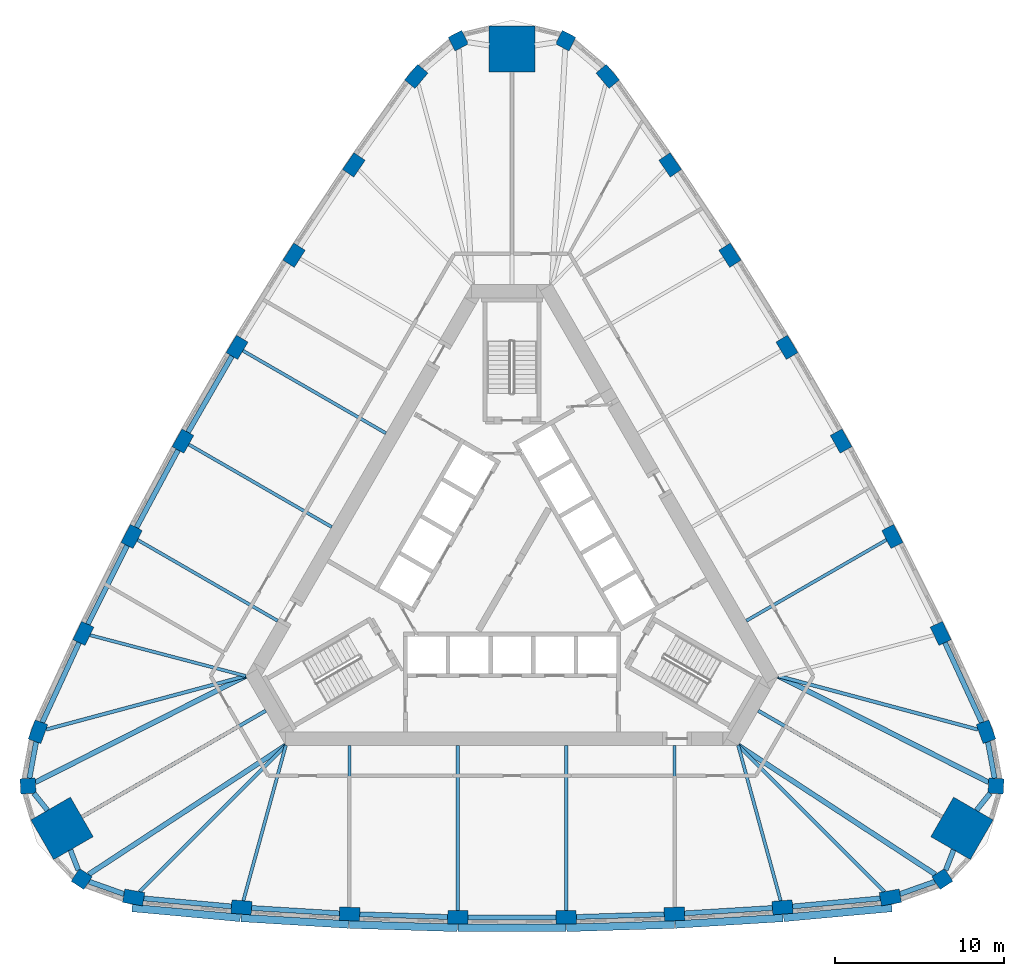
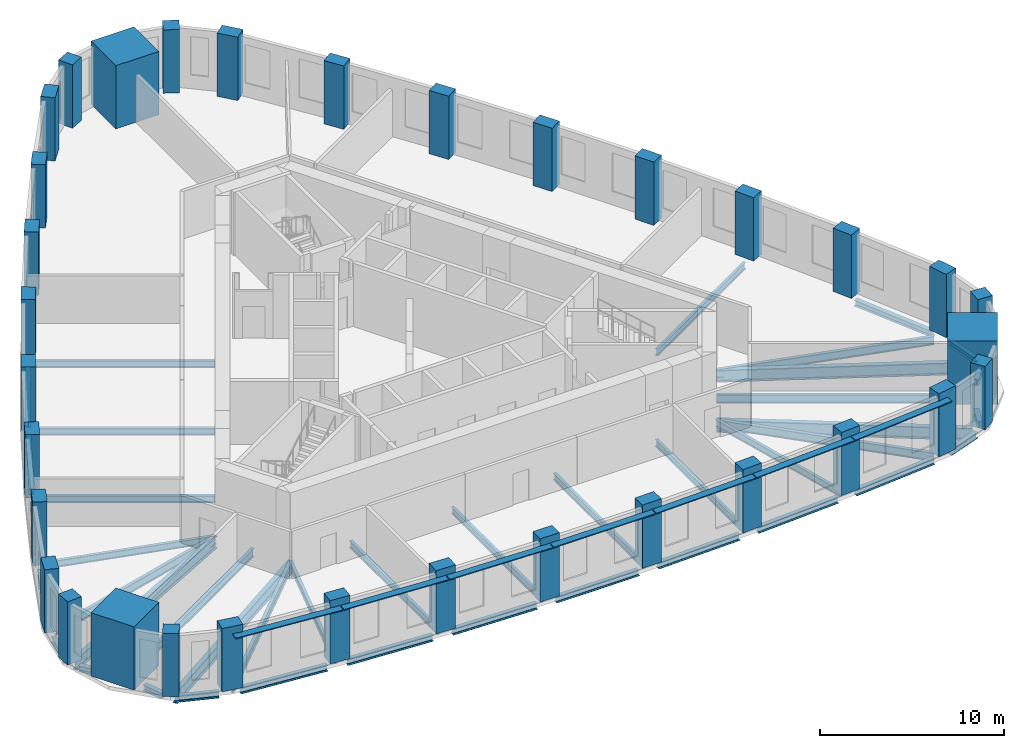
# One storey, part 1 of 9: 41 beams, 33 columns, 7 members.
"""IFC4 building model written with IfcOpenShell, lengths in metres."""

from ifc_helpers import new_model, si_unit, direction, frame, origin, origin_2d, place, context, subcontext, project, spatial, rectangle, i_section, extrude, material, material_profile, profile_set, type_object, element, save


model = new_model("IFC4")

# Units and contexts
model_context = context("Model", 3, precision=1e-05, world=origin(), true_north=direction((0.0, 1.0)))
body_context = subcontext(model_context, "Body", "Model", "MODEL_VIEW")
ifc_project = project(units=[si_unit("LENGTHUNIT", "METRE"), si_unit("AREAUNIT", "SQUARE_METRE"), si_unit("VOLUMEUNIT", "CUBIC_METRE"), si_unit("PLANEANGLEUNIT", "RADIAN"), si_unit("MASSUNIT", "GRAM", prefix="KILO")], contexts=[model_context])

# Site, building, storey
site_placement = place(None, origin())
site = spatial("IfcSite", under=ifc_project, at=site_placement, CompositionType="ELEMENT")
building_placement = place(site_placement, origin())
building = spatial("IfcBuilding", under=site, at=building_placement, Name="Mestral Congress Tower", CompositionType="ELEMENT")
storey_placement = place(building_placement, frame((0.0, 0.0, 179.39990234375)))
storey = spatial("IfcBuildingStorey", under=building, at=storey_placement, Name="L42", CompositionType="ELEMENT", Elevation=179.39990234375)

# Columns
ifc_material_1 = material(Name="Concrete C60/75", Category="concrete")
ifc_material_profile_1 = material_profile(ifc_material_1, rectangle(XDim=1.199951171875, YDim=0.800048828125, at=origin_2d()), Name="RC 1200x800")
ifc_profile_set_1 = profile_set([ifc_material_profile_1], Name="Concrete C60/75")
column_type_1 = type_object("IfcColumnType", Name="Column RC 1200x800 C60/75", PredefinedType="COLUMN", material=ifc_profile_set_1)
for number, where, z_axis, x_axis, name in (
    (1, (-22.357421875, -19.437255859375, 0.0), (0.0, 0.0, 1.0), (0.984571054206, -0.17498525429, 0.0), "COL-L42-C3-S00"),
    (2, (-15.984619140625, -20.0224609375, 0.0), (0.0, 0.0, 1.0), (0.997089725995, -0.076236987842, 0.0), "COL-L42-C3-S01"),
    (3, (-9.5966796875, -20.412841796875, 0.0), (0.0, 0.0, 1.0), (0.998951959915, -0.045770970953, 0.0), "COL-L42-C3-S02"),
    (4, (-3.199951171875, -20.608154296875, 0.0), (0.0, 0.0, 1.0), (0.999883524137, -0.015262311717, 0.0), "COL-L42-C3-S03"),
    (5, (3.199951171875, -20.608154296875, 0.0), (0.0, 0.0, 1.0), (0.999883524137, 0.015262311717, 0.0), "COL-L42-C3-S04"),
    (6, (9.5966796875, -20.412841796875, 0.0), (0.0, 0.0, 1.0), (0.998951959915, 0.045770970953, 0.0), "COL-L42-C3-S05"),
    (7, (15.984619140625, -20.0224609375, 0.0), (0.0, 0.0, 1.0), (0.997089725995, 0.076236987842, 0.0), "COL-L42-C3-S06"),
    (8, (22.357421875, -19.437255859375, 0.0), (0.0, 0.0, 1.0), (0.984571054206, 0.17498525429, 0.0), "COL-L42-C3-S07"),
    (9, (28.01171875, -9.6435546875, 0.0), (0.0, 0.0, 1.0), (-0.340743851601, 0.940156171918, 0.0), "COL-L42-C3-E00"),
    (10, (25.332275390625, -3.831787109375, 0.0), (0.0, 0.0, 1.0), (-0.432521694818, 0.901623526485, 0.0), "COL-L42-C3-E01"),
    (11, (22.476318359375, 1.8955078125, 0.0), (0.0, 0.0, 1.0), (-0.459837156356, 0.888003259923, 0.0), "COL-L42-C3-E02"),
    (12, (19.447265625, 7.532958984375, 0.0), (0.0, 0.0, 1.0), (-0.486724212401, 0.873555688587, 0.0), "COL-L42-C3-E03"),
    (13, (16.247314453125, 13.0751953125, 0.0), (0.0, 0.0, 1.0), (-0.513159311736, 0.85829337687, 0.0), "COL-L42-C3-E04"),
    (14, (12.8798828125, 18.517333984375, 0.0), (0.0, 0.0, 1.0), (-0.539114803559, 0.84223228897, 0.0), "COL-L42-C3-E05"),
    (15, (9.34765625, 23.854248046875, 0.0), (0.0, 0.0, 1.0), (-0.564568031177, 0.825386538643, 0.0), "COL-L42-C3-E06"),
    (16, (5.654296875, 29.080810546875, 0.0), (0.0, 0.0, 1.0), (-0.643827202606, 0.765170917629, 0.0), "COL-L42-C3-E07"),
    (17, (-5.654296875, 29.080810546875, 0.0), (0.0, 0.0, 1.0), (-0.643827202606, -0.765170917629, 0.0), "COL-L42-C3-W00"),
    (18, (-9.34765625, 23.854248046875, 0.0), (0.0, 0.0, 1.0), (-0.564568031177, -0.825386538643, 0.0), "COL-L42-C3-W01"),
    (19, (-12.8798828125, 18.517333984375, 0.0), (0.0, 0.0, 1.0), (-0.539114803559, -0.84223228897, 0.0), "COL-L42-C3-W02"),
    (20, (-16.247314453125, 13.0751953125, 0.0), (0.0, 0.0, 1.0), (-0.513159311736, -0.85829337687, 0.0), "COL-L42-C3-W03"),
    (21, (-19.447265625, 7.532958984375, 0.0), (0.0, 0.0, 1.0), (-0.486724212401, -0.873555688587, 0.0), "COL-L42-C3-W04"),
    (22, (-22.476318359375, 1.8955078125, 0.0), (0.0, 0.0, 1.0), (-0.459837156356, -0.888003259923, 0.0), "COL-L42-C3-W05"),
    (23, (-25.332275390625, -3.831787109375, 0.0), (0.0, 0.0, 1.0), (-0.432521694818, -0.901623526485, 0.0), "COL-L42-C3-W06"),
    (24, (-28.01171875, -9.6435546875, 0.0), (0.0, 0.0, 1.0), (-0.340743851601, -0.940156171918, 0.0), "COL-L42-C3-W07"),
):
    element("IfcColumn", number, at=place(storey_placement, frame(where, z_axis=z_axis, x_axis=x_axis)), inside=storey, type_object=column_type_1, Name=name, PredefinedType="COLUMN", context=body_context, shape_type="SweptSolid", body=[
        extrude(rectangle(XDim=1.199951171875, YDim=0.800048828125, at=origin_2d()), origin(), (0.0, 0.0, 1.0), 4.2001953125),
    ])
ifc_material_profile_2 = material_profile(ifc_material_1, rectangle(XDim=0.89990234375, YDim=0.89990234375, at=origin_2d()), Name="RC 900x900")
ifc_profile_set_2 = profile_set([ifc_material_profile_2], Name="Concrete C60/75")
column_type_2 = type_object("IfcColumnType", Name="Column RC 900x900 C60/75", PredefinedType="COLUMN", material=ifc_profile_set_2)
for number, where, z_axis, x_axis, name in (
    (25, (25.4296875, -18.34375, 0.0), (0.0, 0.0, 1.0), (0.838094050847, 0.545525766518, 0.0), "COL-L42-C3-SE1"),
    (26, (28.60107421875, -12.850830078125, 0.0), (0.0, 0.0, 1.0), (0.0533921468, 0.998573622053, 0.0), "COL-L42-C3-SE3"),
    (27, (3.17138671875, 31.194580078125, 0.0), (0.0, 0.0, 1.0), (-0.891486197647, 0.453047855535, 0.0), "COL-L42-C3-N1"),
    (28, (-3.17138671875, 31.194580078125, 0.0), (0.0, 0.0, 1.0), (-0.891486197647, -0.453047855535, 0.0), "COL-L42-C3-N3"),
    (29, (-28.60107421875, -12.850830078125, 0.0), (0.0, 0.0, 1.0), (0.0533921468, -0.998573622053, 0.0), "COL-L42-C3-SW1"),
    (30, (-25.4296875, -18.34375, 0.0), (0.0, 0.0, 1.0), (0.838094050847, -0.545525766518, 0.0), "COL-L42-C3-SW3"),
):
    element("IfcColumn", number, at=place(storey_placement, frame(where, z_axis=z_axis, x_axis=x_axis)), inside=storey, type_object=column_type_2, Name=name, PredefinedType="COLUMN", context=body_context, shape_type="SweptSolid", body=[
        extrude(rectangle(XDim=0.89990234375, YDim=0.89990234375, at=origin_2d()), origin(), (0.0, 0.0, 1.0), 4.2001953125),
    ])
ifc_material_2 = material(Name="Concrete C70/85", Category="concrete")
ifc_material_profile_3 = material_profile(ifc_material_2, rectangle(XDim=2.699951171875, YDim=2.699951171875, at=origin_2d()), Name="RC 2700x2700")
ifc_profile_set_3 = profile_set([ifc_material_profile_3], Name="Concrete C70/85")
column_type_3 = type_object("IfcColumnType", Name="Mega column RC 2700x2700 C70/85", PredefinedType="COLUMN", material=ifc_profile_set_3)
for number, where, z_axis, x_axis, name in (
    (31, (26.590576171875, -15.35205078125, 0.0), (0.0, 0.0, 1.0), (0.866025403784, -0.5, 0.0), "COL-L42-PY3-SE"),
    (32, (0.0, 30.7041015625, 0.0), (0.0, 0.0, 1.0), (0.0, 1.0, 0.0), "COL-L42-PY3-N"),
    (33, (-26.590576171875, -15.35205078125, 0.0), (0.0, 0.0, 1.0), (-0.866025403784, -0.5, 0.0), "COL-L42-PY3-SW"),
):
    element("IfcColumn", number, at=place(storey_placement, frame(where, z_axis=z_axis, x_axis=x_axis)), inside=storey, type_object=column_type_3, Name=name, PredefinedType="COLUMN", context=body_context, shape_type="SweptSolid", body=[
        extrude(rectangle(XDim=2.699951171875, YDim=2.699951171875, at=origin_2d()), origin(), (0.0, 0.0, 1.0), 4.2001953125),
    ])

# Members
ifc_material_3 = material(Name="Glazed ceramic", Category="masonry")
ifc_material_profile_4 = material_profile(ifc_material_3, rectangle(XDim=0.449951171875, YDim=0.06005859375, at=origin_2d()), Name="Ceramic blade 450 x 60")
ifc_profile_set_4 = profile_set([ifc_material_profile_4], Name="Glazed ceramic")
member_type = type_object("IfcMemberType", Name="Facade sunshade blade 450 x 60", PredefinedType="USERDEFINED", material=ifc_profile_set_4)
member_1_placement = place(storey_placement, frame((-22.451171875, -20.05615234375, 3.68017578125), z_axis=(0.995809919347, -0.091447277326, 0.0), x_axis=(0.091447277326, 0.995809919347, 0.0)))
element("IfcMember", 34, at=member_1_placement, inside=storey, type_object=member_type, Name="Sunshade F0-00", ObjectType="SUNSHADE", PredefinedType="USERDEFINED", context=body_context, shape_type="SweptSolid", body=[
    extrude(rectangle(XDim=0.449951171875, YDim=0.06005859375, at=origin_2d()), origin(), (0.0, 0.0, 1.0), 6.42333984375),
])
member_2_placement = place(storey_placement, frame((-16.009521484375, -20.647216796875, 3.68017578125), z_axis=(0.998138940399, -0.06098078107, 0.0), x_axis=(0.06098078107, 0.998138940399, 0.0)))
element("IfcMember", 35, at=member_2_placement, inside=storey, type_object=member_type, Name="Sunshade F0-01", ObjectType="SUNSHADE", PredefinedType="USERDEFINED", context=body_context, shape_type="SweptSolid", body=[
    extrude(rectangle(XDim=0.449951171875, YDim=0.06005859375, at=origin_2d()), origin(), (0.0, 0.0, 1.0), 6.373779296875),
])
for number, where, z_axis, x_axis, name in (
    (36, (-9.6025390625, -21.0380859375, 3.68017578125), (0.999535044007, -0.03049091343, 0.0), (0.03049091343, 0.999535044007, 0.0), "Sunshade F0-02"),
    (37, (-3.186767578125, -21.233154296875, 3.68017578125), (1.0, 0.0, 0.0), (0.0, 1.0, 0.0), "Sunshade F0-03"),
    (38, (3.23193359375, -21.232421875, 3.68017578125), (0.999535044007, 0.03049091343, 0.0), (-0.03049091343, 0.999535044007, 0.0), "Sunshade F0-04"),
):
    element("IfcMember", number, at=place(storey_placement, frame(where, z_axis=z_axis, x_axis=x_axis)), inside=storey, type_object=member_type, Name=name, ObjectType="SUNSHADE", PredefinedType="USERDEFINED", context=body_context, shape_type="SweptSolid", body=[
        extrude(rectangle(XDim=0.449951171875, YDim=0.06005859375, at=origin_2d()), origin(), (0.0, 0.0, 1.0), 6.37353515625),
    ])
member_3_placement = place(storey_placement, frame((9.647705078125, -21.035888671875, 3.68017578125), z_axis=(0.998138940399, 0.06098078107, 0.0), x_axis=(-0.06098078107, 0.998138940399, 0.0)))
element("IfcMember", 39, at=member_3_placement, inside=storey, type_object=member_type, Name="Sunshade F0-05", ObjectType="SUNSHADE", PredefinedType="USERDEFINED", context=body_context, shape_type="SweptSolid", body=[
    extrude(rectangle(XDim=0.449951171875, YDim=0.06005859375, at=origin_2d()), origin(), (0.0, 0.0, 1.0), 6.373779296875),
])
member_4_placement = place(storey_placement, frame((16.0546875, -20.6435546875, 3.68017578125), z_axis=(0.995809919347, 0.091447277326, 0.0), x_axis=(-0.091447277326, 0.995809919347, 0.0)))
element("IfcMember", 40, at=member_4_placement, inside=storey, type_object=member_type, Name="Sunshade F0-06", ObjectType="SUNSHADE", PredefinedType="USERDEFINED", context=body_context, shape_type="SweptSolid", body=[
    extrude(rectangle(XDim=0.449951171875, YDim=0.06005859375, at=origin_2d()), origin(), (0.0, 0.0, 1.0), 6.42333984375),
])

# Beams
ifc_material_4 = material(Name="Steel S355", Category="steel")
ifc_material_profile_5 = material_profile(ifc_material_4, i_section(OverallWidth=0.300048828125, OverallDepth=0.800048828125, WebThickness=0.017578125, FlangeThickness=0.032958984375, FilletRadius=0.030029296875, at=origin_2d()), Name="HEB 800")
ifc_profile_set_5 = profile_set([ifc_material_profile_5], Name="Steel S355")
beam_type_1 = type_object("IfcBeamType", Name="Floor beam HEB 800 S355", PredefinedType="BEAM", material=ifc_profile_set_5)
beam_1_placement = place(storey_placement, frame((25.018310546875, -18.07470703125, -0.64990234375), z_axis=(-0.836780237492, 0.547538888247, 0.0), x_axis=(-0.547538888247, -0.836780237492, 0.0)))
element("IfcBeam", 41, at=beam_1_placement, inside=storey, type_object=beam_type_1, Name="BM-L42-RB3-SE1", PredefinedType="BEAM", context=body_context, shape_type="SweptSolid", body=[
    extrude(i_section(OverallWidth=0.300048828125, OverallDepth=0.800048828125, WebThickness=0.017578125, FlangeThickness=0.032958984375, FilletRadius=0.030029296875, at=origin_2d()), origin(), (0.0, 0.0, 1.0), 13.925537109375),
])
for number, where, z_axis, x_axis, name in (
    (42, (28.162109375, -12.629150390625, -0.64990234375), (-0.892568118133, 0.450912579656, 0.0), (-0.450912579656, -0.892568118133, 0.0), "BM-L42-RB3-SE3"),
    (43, (-28.162109375, -12.629150390625, -0.64990234375), (0.892568118133, 0.450912579656, 0.0), (-0.450912579656, 0.892568118133, 0.0), "BM-L42-RB3-SW1"),
):
    element("IfcBeam", number, at=place(storey_placement, frame(where, z_axis=z_axis, x_axis=x_axis)), inside=storey, type_object=beam_type_1, Name=name, PredefinedType="BEAM", context=body_context, shape_type="SweptSolid", body=[
        extrude(i_section(OverallWidth=0.300048828125, OverallDepth=0.800048828125, WebThickness=0.017578125, FlangeThickness=0.032958984375, FilletRadius=0.030029296875, at=origin_2d()), origin(), (0.0, 0.0, 1.0), 13.92529296875),
    ])
beam_2_placement = place(storey_placement, frame((-25.018310546875, -18.07470703125, -0.64990234375), z_axis=(0.836780237492, 0.547538888247, 0.0), x_axis=(-0.547538888247, 0.836780237492, 0.0)))
element("IfcBeam", 44, at=beam_2_placement, inside=storey, type_object=beam_type_1, Name="BM-L42-RB3-SW3", PredefinedType="BEAM", context=body_context, shape_type="SweptSolid", body=[
    extrude(i_section(OverallWidth=0.300048828125, OverallDepth=0.800048828125, WebThickness=0.017578125, FlangeThickness=0.032958984375, FilletRadius=0.030029296875, at=origin_2d()), origin(), (0.0, 0.0, 1.0), 13.925537109375),
])
ifc_material_profile_6 = material_profile(ifc_material_4, i_section(OverallWidth=0.18994140625, OverallDepth=0.449951171875, WebThickness=0.009521484375, FlangeThickness=0.0146484375, FilletRadius=0.02099609375, at=origin_2d()), Name="IPE 450")
ifc_profile_set_6 = profile_set([ifc_material_profile_6], Name="Steel S355")
beam_type_2 = type_object("IfcBeamType", Name="Floor beam IPE 450 S355", PredefinedType="BEAM", material=ifc_profile_set_6)
beam_3_placement = place(storey_placement, frame((-15.876953125, -19.62939453125, -0.474853515625), z_axis=(0.263874900873, 0.964556912105, 0.0), x_axis=(-0.964556912105, 0.263874900873, 0.0)))
element("IfcBeam", 45, at=beam_3_placement, inside=storey, type_object=beam_type_2, Name="BM-L42-RB3-S01", PredefinedType="BEAM", context=body_context, shape_type="SweptSolid", body=[
    extrude(i_section(OverallWidth=0.18994140625, OverallDepth=0.449951171875, WebThickness=0.009521484375, FlangeThickness=0.0146484375, FilletRadius=0.02099609375, at=origin_2d()), origin(), (0.0, 0.0, 1.0), 9.516845703125),
])
beam_4_placement = place(storey_placement, frame((-9.5966796875, -20.012451171875, -0.474853515625), z_axis=(0.0, 1.0, 0.0), x_axis=(-1.0, 0.0, 0.0)))
element("IfcBeam", 46, at=beam_4_placement, inside=storey, type_object=beam_type_2, Name="BM-L42-RB3-S02", PredefinedType="BEAM", context=body_context, shape_type="SweptSolid", body=[
    extrude(i_section(OverallWidth=0.18994140625, OverallDepth=0.449951171875, WebThickness=0.009521484375, FlangeThickness=0.0146484375, FilletRadius=0.02099609375, at=origin_2d()), origin(), (0.0, 0.0, 1.0), 9.5625),
])
for number, where, z_axis, x_axis, name in (
    (47, (-3.199951171875, -20.208251953125, -0.474853515625), (0.0, 1.0, 0.0), (-1.0, 0.0, 0.0), "BM-L42-RB3-S03"),
    (48, (3.199951171875, -20.208251953125, -0.474853515625), (0.0, 1.0, 0.0), (-1.0, 0.0, 0.0), "BM-L42-RB3-S04"),
):
    element("IfcBeam", number, at=place(storey_placement, frame(where, z_axis=z_axis, x_axis=x_axis)), inside=storey, type_object=beam_type_2, Name=name, PredefinedType="BEAM", context=body_context, shape_type="SweptSolid", body=[
        extrude(i_section(OverallWidth=0.18994140625, OverallDepth=0.449951171875, WebThickness=0.009521484375, FlangeThickness=0.0146484375, FilletRadius=0.02099609375, at=origin_2d()), origin(), (0.0, 0.0, 1.0), 9.75830078125),
    ])
beam_5_placement = place(storey_placement, frame((9.5966796875, -20.012451171875, -0.474853515625), z_axis=(0.0, 1.0, 0.0), x_axis=(-1.0, 0.0, 0.0)))
element("IfcBeam", 49, at=beam_5_placement, inside=storey, type_object=beam_type_2, Name="BM-L42-RB3-S05", PredefinedType="BEAM", context=body_context, shape_type="SweptSolid", body=[
    extrude(i_section(OverallWidth=0.18994140625, OverallDepth=0.449951171875, WebThickness=0.009521484375, FlangeThickness=0.0146484375, FilletRadius=0.02099609375, at=origin_2d()), origin(), (0.0, 0.0, 1.0), 9.5625),
])
beam_6_placement = place(storey_placement, frame((15.876953125, -19.62939453125, -0.474853515625), z_axis=(-0.263874900873, 0.964556912105, 0.0), x_axis=(-0.964556912105, -0.263874900873, 0.0)))
element("IfcBeam", 50, at=beam_6_placement, inside=storey, type_object=beam_type_2, Name="BM-L42-RB3-S06", PredefinedType="BEAM", context=body_context, shape_type="SweptSolid", body=[
    extrude(i_section(OverallWidth=0.18994140625, OverallDepth=0.449951171875, WebThickness=0.009521484375, FlangeThickness=0.0146484375, FilletRadius=0.02099609375, at=origin_2d()), origin(), (0.0, 0.0, 1.0), 9.516845703125),
])
beam_7_placement = place(storey_placement, frame((22.129638671875, 1.6953125, -0.474853515625), z_axis=(-0.866022320763, -0.500005339912, 0.0), x_axis=(0.500005339912, -0.866022320763, 0.0)))
element("IfcBeam", 51, at=beam_7_placement, inside=storey, type_object=beam_type_2, Name="BM-L42-RB3-E02", PredefinedType="BEAM", context=body_context, shape_type="SweptSolid", body=[
    extrude(i_section(OverallWidth=0.18994140625, OverallDepth=0.449951171875, WebThickness=0.009521484375, FlangeThickness=0.0146484375, FilletRadius=0.02099609375, at=origin_2d()), origin(), (0.0, 0.0, 1.0), 9.5625),
])
beam_8_placement = place(storey_placement, frame((-15.90087890625, 12.875244140625, -0.474853515625), z_axis=(0.866025182435, -0.500000383388, 0.0), x_axis=(0.500000383388, 0.866025182435, 0.0)))
element("IfcBeam", 52, at=beam_8_placement, inside=storey, type_object=beam_type_2, Name="BM-L42-RB3-W03", PredefinedType="BEAM", context=body_context, shape_type="SweptSolid", body=[
    extrude(i_section(OverallWidth=0.18994140625, OverallDepth=0.449951171875, WebThickness=0.009521484375, FlangeThickness=0.0146484375, FilletRadius=0.02099609375, at=origin_2d()), origin(), (0.0, 0.0, 1.0), 9.75830078125),
])
beam_9_placement = place(storey_placement, frame((-19.100830078125, 7.332763671875, -0.474853515625), z_axis=(0.866036015824, -0.499981618958, 0.0), x_axis=(0.499981618958, 0.866036015824, 0.0)))
element("IfcBeam", 53, at=beam_9_placement, inside=storey, type_object=beam_type_2, Name="BM-L42-RB3-W04", PredefinedType="BEAM", context=body_context, shape_type="SweptSolid", body=[
    extrude(i_section(OverallWidth=0.18994140625, OverallDepth=0.449951171875, WebThickness=0.009521484375, FlangeThickness=0.0146484375, FilletRadius=0.02099609375, at=origin_2d()), origin(), (0.0, 0.0, 1.0), 9.758056640625),
])
beam_10_placement = place(storey_placement, frame((-22.129638671875, 1.6953125, -0.474853515625), z_axis=(0.866022320763, -0.500005339912, 0.0), x_axis=(0.500005339912, 0.866022320763, 0.0)))
element("IfcBeam", 54, at=beam_10_placement, inside=storey, type_object=beam_type_2, Name="BM-L42-RB3-W05", PredefinedType="BEAM", context=body_context, shape_type="SweptSolid", body=[
    extrude(i_section(OverallWidth=0.18994140625, OverallDepth=0.449951171875, WebThickness=0.009521484375, FlangeThickness=0.0146484375, FilletRadius=0.02099609375, at=origin_2d()), origin(), (0.0, 0.0, 1.0), 9.5625),
])
beam_11_placement = place(storey_placement, frame((-24.938232421875, -3.93505859375, -0.474853515625), z_axis=(0.967265999603, -0.253764627187, 0.0), x_axis=(0.253764627187, 0.967265999603, 0.0)))
element("IfcBeam", 55, at=beam_11_placement, inside=storey, type_object=beam_type_2, Name="BM-L42-RB3-W06", PredefinedType="BEAM", context=body_context, shape_type="SweptSolid", body=[
    extrude(i_section(OverallWidth=0.18994140625, OverallDepth=0.449951171875, WebThickness=0.009521484375, FlangeThickness=0.0146484375, FilletRadius=0.02099609375, at=origin_2d()), origin(), (0.0, 0.0, 1.0), 9.516845703125),
])
ifc_material_profile_7 = material_profile(ifc_material_4, i_section(OverallWidth=0.2099609375, OverallDepth=0.550048828125, WebThickness=0.010986328125, FlangeThickness=0.01708984375, FilletRadius=0.02392578125, at=origin_2d()), Name="IPE 550")
ifc_profile_set_7 = profile_set([ifc_material_profile_7], Name="Steel S355")
beam_type_3 = type_object("IfcBeamType", Name="Floor beam IPE 550 S355", PredefinedType="BEAM", material=ifc_profile_set_7)
for number, where, z_axis, x_axis, name in (
    (56, (-22.01220703125, -19.09228515625, -0.52490234375), (0.707276510369, 0.706937011254, 0.0), (-0.706937011254, 0.707276510369, 0.0), "BM-L42-RB3-S00"),
    (57, (22.01220703125, -19.09228515625, -0.52490234375), (-0.707276510369, 0.706937011254, 0.0), (-0.706937011254, -0.707276510369, 0.0), "BM-L42-RB3-S07"),
):
    element("IfcBeam", number, at=place(storey_placement, frame(where, z_axis=z_axis, x_axis=x_axis)), inside=storey, type_object=beam_type_3, Name=name, PredefinedType="BEAM", context=body_context, shape_type="SweptSolid", body=[
        extrude(i_section(OverallWidth=0.2099609375, OverallDepth=0.550048828125, WebThickness=0.010986328125, FlangeThickness=0.01708984375, FilletRadius=0.02392578125, at=origin_2d()), origin(), (0.0, 0.0, 1.0), 12.22509765625),
    ])
beam_12_placement = place(storey_placement, frame((25.42138671875, -14.677001953125, -0.52490234375), z_axis=(-0.866034999462, 0.49998337943, 0.0), x_axis=(-0.49998337943, -0.866034999462, 0.0)))
element("IfcBeam", 58, at=beam_12_placement, inside=storey, type_object=beam_type_3, Name="BM-L42-RB3-SE", PredefinedType="BEAM", context=body_context, shape_type="SweptSolid", body=[
    extrude(i_section(OverallWidth=0.2099609375, OverallDepth=0.550048828125, WebThickness=0.010986328125, FlangeThickness=0.01708984375, FilletRadius=0.02392578125, at=origin_2d()), origin(), (0.0, 0.0, 1.0), 12.55419921875),
])
for number, where, z_axis, x_axis, name in (
    (59, (27.54052734375, -9.51708984375, -0.52490234375), (-0.965861364708, 0.259059499276, 0.0), (-0.259059499276, -0.965861364708, 0.0), "BM-L42-RB3-E00"),
    (60, (-27.54052734375, -9.51708984375, -0.52490234375), (0.965861364708, 0.259059499276, 0.0), (-0.259059499276, 0.965861364708, 0.0), "BM-L42-RB3-W07"),
):
    element("IfcBeam", number, at=place(storey_placement, frame(where, z_axis=z_axis, x_axis=x_axis)), inside=storey, type_object=beam_type_3, Name=name, PredefinedType="BEAM", context=body_context, shape_type="SweptSolid", body=[
        extrude(i_section(OverallWidth=0.2099609375, OverallDepth=0.550048828125, WebThickness=0.010986328125, FlangeThickness=0.01708984375, FilletRadius=0.02392578125, at=origin_2d()), origin(), (0.0, 0.0, 1.0), 12.224853515625),
    ])
beam_13_placement = place(storey_placement, frame((-25.42138671875, -14.677001953125, -0.52490234375), z_axis=(0.866034999462, 0.49998337943, 0.0), x_axis=(-0.49998337943, 0.866034999462, 0.0)))
element("IfcBeam", 61, at=beam_13_placement, inside=storey, type_object=beam_type_3, Name="BM-L42-RB3-SW", PredefinedType="BEAM", context=body_context, shape_type="SweptSolid", body=[
    extrude(i_section(OverallWidth=0.2099609375, OverallDepth=0.550048828125, WebThickness=0.010986328125, FlangeThickness=0.01708984375, FilletRadius=0.02392578125, at=origin_2d()), origin(), (0.0, 0.0, 1.0), 12.55419921875),
])
ifc_material_profile_8 = material_profile(ifc_material_4, i_section(OverallWidth=0.300048828125, OverallDepth=0.389892578125, WebThickness=0.010986328125, FlangeThickness=0.01904296875, FilletRadius=0.027099609375, at=origin_2d()), Name="HEA 400")
ifc_profile_set_8 = profile_set([ifc_material_profile_8], Name="Steel S355")
beam_type_4 = type_object("IfcBeamType", Name="Spandrel beam HEA 400 S355", PredefinedType="BEAM", material=ifc_profile_set_8)
beam_14_placement = place(storey_placement, frame((-21.7578125, -19.4921875, -0.44482421875), z_axis=(0.995809233617, -0.091454744238, 0.0), x_axis=(0.091454744238, 0.995809233617, 0.0)))
element("IfcBeam", 62, at=beam_14_placement, inside=storey, type_object=beam_type_4, Name="SP-L42-SB3-S00", PredefinedType="BEAM", context=body_context, shape_type="SweptSolid", body=[
    extrude(i_section(OverallWidth=0.300048828125, OverallDepth=0.389892578125, WebThickness=0.010986328125, FlangeThickness=0.01904296875, FilletRadius=0.027099609375, at=origin_2d()), origin(), (0.0, 0.0, 1.0), 5.197509765625),
])
beam_15_placement = place(storey_placement, frame((-15.385498046875, -20.05908203125, -0.44482421875), z_axis=(0.998138215809, -0.060992640057, 0.0), x_axis=(0.060992640057, 0.998138215809, 0.0)))
element("IfcBeam", 63, at=beam_15_placement, inside=storey, type_object=beam_type_4, Name="SP-L42-SB3-S01", PredefinedType="BEAM", context=body_context, shape_type="SweptSolid", body=[
    extrude(i_section(OverallWidth=0.300048828125, OverallDepth=0.389892578125, WebThickness=0.010986328125, FlangeThickness=0.01904296875, FilletRadius=0.027099609375, at=origin_2d()), origin(), (0.0, 0.0, 1.0), 5.19970703125),
])
beam_16_placement = place(storey_placement, frame((-8.996826171875, -20.43115234375, -0.44482421875), z_axis=(0.999534130554, -0.030520842996, 0.0), x_axis=(0.030520842996, 0.999534130554, 0.0)))
element("IfcBeam", 64, at=beam_16_placement, inside=storey, type_object=beam_type_4, Name="SP-L42-SB3-S02", PredefinedType="BEAM", context=body_context, shape_type="SweptSolid", body=[
    extrude(i_section(OverallWidth=0.300048828125, OverallDepth=0.389892578125, WebThickness=0.010986328125, FlangeThickness=0.01904296875, FilletRadius=0.027099609375, at=origin_2d()), origin(), (0.0, 0.0, 1.0), 5.199462890625),
])
beam_17_placement = place(storey_placement, frame((-2.599853515625, -20.608154296875, -0.44482421875), z_axis=(1.0, 0.0, 0.0), x_axis=(0.0, 1.0, 0.0)))
element("IfcBeam", 65, at=beam_17_placement, inside=storey, type_object=beam_type_4, Name="SP-L42-SB3-S03", PredefinedType="BEAM", context=body_context, shape_type="SweptSolid", body=[
    extrude(i_section(OverallWidth=0.300048828125, OverallDepth=0.389892578125, WebThickness=0.010986328125, FlangeThickness=0.01904296875, FilletRadius=0.027099609375, at=origin_2d()), origin(), (0.0, 0.0, 1.0), 5.19970703125),
])
beam_18_placement = place(storey_placement, frame((3.7998046875, -20.58984375, -0.44482421875), z_axis=(0.999534130554, 0.030520842996, 0.0), x_axis=(-0.030520842996, 0.999534130554, 0.0)))
element("IfcBeam", 66, at=beam_18_placement, inside=storey, type_object=beam_type_4, Name="SP-L42-SB3-S04", PredefinedType="BEAM", context=body_context, shape_type="SweptSolid", body=[
    extrude(i_section(OverallWidth=0.300048828125, OverallDepth=0.389892578125, WebThickness=0.010986328125, FlangeThickness=0.01904296875, FilletRadius=0.027099609375, at=origin_2d()), origin(), (0.0, 0.0, 1.0), 5.199462890625),
])
beam_19_placement = place(storey_placement, frame((10.195556640625, -20.376220703125, -0.44482421875), z_axis=(0.998138215809, 0.060992640057, 0.0), x_axis=(-0.060992640057, 0.998138215809, 0.0)))
element("IfcBeam", 67, at=beam_19_placement, inside=storey, type_object=beam_type_4, Name="SP-L42-SB3-S05", PredefinedType="BEAM", context=body_context, shape_type="SweptSolid", body=[
    extrude(i_section(OverallWidth=0.300048828125, OverallDepth=0.389892578125, WebThickness=0.010986328125, FlangeThickness=0.01904296875, FilletRadius=0.027099609375, at=origin_2d()), origin(), (0.0, 0.0, 1.0), 5.19970703125),
])
beam_20_placement = place(storey_placement, frame((16.58203125, -19.967529296875, -0.44482421875), z_axis=(0.995809233617, 0.091454744238, 0.0), x_axis=(-0.091454744238, 0.995809233617, 0.0)))
element("IfcBeam", 68, at=beam_20_placement, inside=storey, type_object=beam_type_4, Name="SP-L42-SB3-S06", PredefinedType="BEAM", context=body_context, shape_type="SweptSolid", body=[
    extrude(i_section(OverallWidth=0.300048828125, OverallDepth=0.389892578125, WebThickness=0.010986328125, FlangeThickness=0.01904296875, FilletRadius=0.027099609375, at=origin_2d()), origin(), (0.0, 0.0, 1.0), 5.197509765625),
])
beam_21_placement = place(storey_placement, frame((22.9306640625, -19.233154296875, -0.44482421875), z_axis=(0.942124718118, 0.33526260679, 0.0), x_axis=(-0.33526260679, 0.942124718118, 0.0)))
element("IfcBeam", 69, at=beam_21_placement, inside=storey, type_object=beam_type_4, Name="SP-L42-SB3-S07", PredefinedType="BEAM", context=body_context, shape_type="SweptSolid", body=[
    extrude(i_section(OverallWidth=0.300048828125, OverallDepth=0.389892578125, WebThickness=0.010986328125, FlangeThickness=0.01904296875, FilletRadius=0.027099609375, at=origin_2d()), origin(), (0.0, 0.0, 1.0), 2.189697265625),
])
for number, where, z_axis, x_axis, name in (
    (70, (25.630126953125, -17.826904296875, -0.44482421875), (0.361897583915, 0.932217860136, 0.0), (-0.932217860136, 0.361897583915, 0.0), "SP-L42-SB3-SE1"),
    (71, (27.446533203125, -14.287353515625, -0.44482421875), (0.626403443736, 0.779499022242, 0.0), (-0.779499022242, 0.626403443736, 0.0), "SP-L42-SB3-SE"),
):
    element("IfcBeam", number, at=place(storey_placement, frame(where, z_axis=z_axis, x_axis=x_axis)), inside=storey, type_object=beam_type_4, Name=name, PredefinedType="BEAM", context=body_context, shape_type="SweptSolid", body=[
        extrude(i_section(OverallWidth=0.300048828125, OverallDepth=0.389892578125, WebThickness=0.010986328125, FlangeThickness=0.01904296875, FilletRadius=0.027099609375, at=origin_2d()), origin(), (0.0, 0.0, 1.0), 1.28857421875),
    ])
beam_22_placement = place(storey_placement, frame((28.517333984375, -12.395751953125, -0.44482421875), z_axis=(-0.18061190167, 0.983554442304, 0.0), x_axis=(-0.983554442304, -0.18061190167, 0.0)))
element("IfcBeam", 72, at=beam_22_placement, inside=storey, type_object=beam_type_4, Name="SP-L42-SB3-SE3", PredefinedType="BEAM", context=body_context, shape_type="SweptSolid", body=[
    extrude(i_section(OverallWidth=0.300048828125, OverallDepth=0.389892578125, WebThickness=0.010986328125, FlangeThickness=0.01904296875, FilletRadius=0.027099609375, at=origin_2d()), origin(), (0.0, 0.0, 1.0), 2.18994140625),
])
beam_23_placement = place(storey_placement, frame((27.759765625, -9.0966796875, -0.44482421875), z_axis=(-0.418712613032, 0.908118796022, 0.0), x_axis=(-0.908118796022, -0.418712613032, 0.0)))
element("IfcBeam", 73, at=beam_23_placement, inside=storey, type_object=beam_type_4, Name="SP-L42-SB3-E00", PredefinedType="BEAM", context=body_context, shape_type="SweptSolid", body=[
    extrude(i_section(OverallWidth=0.300048828125, OverallDepth=0.389892578125, WebThickness=0.010986328125, FlangeThickness=0.01904296875, FilletRadius=0.027099609375, at=origin_2d()), origin(), (0.0, 0.0, 1.0), 5.197509765625),
])
for number, where, z_axis, x_axis, name in (
    (74, (-16.54736328125, 12.5556640625, -0.44482421875), (-0.499992051641, -0.866029992723, 0.0), (0.866029992723, -0.499992051641, 0.0), "SP-L42-SB3-W03"),
    (75, (-19.731201171875, 7.00439453125, -0.44482421875), (-0.473332458078, -0.880883865291, 0.0), (0.880883865291, -0.473332458078, 0.0), "SP-L42-SB3-W04"),
):
    element("IfcBeam", number, at=place(storey_placement, frame(where, z_axis=z_axis, x_axis=x_axis)), inside=storey, type_object=beam_type_4, Name=name, PredefinedType="BEAM", context=body_context, shape_type="SweptSolid", body=[
        extrude(i_section(OverallWidth=0.300048828125, OverallDepth=0.389892578125, WebThickness=0.010986328125, FlangeThickness=0.01904296875, FilletRadius=0.027099609375, at=origin_2d()), origin(), (0.0, 0.0, 1.0), 5.19970703125),
    ])
beam_24_placement = place(storey_placement, frame((-22.744140625, 1.3583984375, -0.44482421875), z_axis=(-0.446255467462, -0.894905613884, 0.0), x_axis=(0.894905613884, -0.446255467462, 0.0)))
element("IfcBeam", 76, at=beam_24_placement, inside=storey, type_object=beam_type_4, Name="SP-L42-SB3-W05", PredefinedType="BEAM", context=body_context, shape_type="SweptSolid", body=[
    extrude(i_section(OverallWidth=0.300048828125, OverallDepth=0.389892578125, WebThickness=0.010986328125, FlangeThickness=0.01904296875, FilletRadius=0.027099609375, at=origin_2d()), origin(), (0.0, 0.0, 1.0), 5.199462890625),
])
beam_25_placement = place(storey_placement, frame((-25.58349609375, -4.376708984375, -0.44482421875), z_axis=(-0.418712613032, -0.908118796022, 0.0), x_axis=(0.908118796022, -0.418712613032, 0.0)))
element("IfcBeam", 77, at=beam_25_placement, inside=storey, type_object=beam_type_4, Name="SP-L42-SB3-W06", PredefinedType="BEAM", context=body_context, shape_type="SweptSolid", body=[
    extrude(i_section(OverallWidth=0.300048828125, OverallDepth=0.389892578125, WebThickness=0.010986328125, FlangeThickness=0.01904296875, FilletRadius=0.027099609375, at=origin_2d()), origin(), (0.0, 0.0, 1.0), 5.197509765625),
])
beam_26_placement = place(storey_placement, frame((-28.121826171875, -10.241943359375, -0.44482421875), z_axis=(-0.18061190167, -0.983554442304, 0.0), x_axis=(0.983554442304, -0.18061190167, 0.0)))
element("IfcBeam", 78, at=beam_26_placement, inside=storey, type_object=beam_type_4, Name="SP-L42-SB3-W07", PredefinedType="BEAM", context=body_context, shape_type="SweptSolid", body=[
    extrude(i_section(OverallWidth=0.300048828125, OverallDepth=0.389892578125, WebThickness=0.010986328125, FlangeThickness=0.01904296875, FilletRadius=0.027099609375, at=origin_2d()), origin(), (0.0, 0.0, 1.0), 2.18994140625),
])
for number, where, z_axis, x_axis, name in (
    (79, (-28.253662109375, -13.282958984375, -0.44482421875), (0.626403443736, -0.779499022242, 0.0), (0.779499022242, 0.626403443736, 0.0), "SP-L42-SB3-SW1"),
    (80, (-26.096435546875, -16.625732421875, -0.44482421875), (0.361897583915, -0.932217860136, 0.0), (0.932217860136, 0.361897583915, 0.0), "SP-L42-SB3-SW"),
):
    element("IfcBeam", number, at=place(storey_placement, frame(where, z_axis=z_axis, x_axis=x_axis)), inside=storey, type_object=beam_type_4, Name=name, PredefinedType="BEAM", context=body_context, shape_type="SweptSolid", body=[
        extrude(i_section(OverallWidth=0.300048828125, OverallDepth=0.389892578125, WebThickness=0.010986328125, FlangeThickness=0.01904296875, FilletRadius=0.027099609375, at=origin_2d()), origin(), (0.0, 0.0, 1.0), 1.28857421875),
    ])
beam_27_placement = place(storey_placement, frame((-24.99365234375, -18.4990234375, -0.44482421875), z_axis=(0.942124718118, -0.33526260679, 0.0), x_axis=(0.33526260679, 0.942124718118, 0.0)))
element("IfcBeam", 81, at=beam_27_placement, inside=storey, type_object=beam_type_4, Name="SP-L42-SB3-SW3", PredefinedType="BEAM", context=body_context, shape_type="SweptSolid", body=[
    extrude(i_section(OverallWidth=0.300048828125, OverallDepth=0.389892578125, WebThickness=0.010986328125, FlangeThickness=0.01904296875, FilletRadius=0.027099609375, at=origin_2d()), origin(), (0.0, 0.0, 1.0), 2.189697265625),
])

save(model, "model.ifc")
